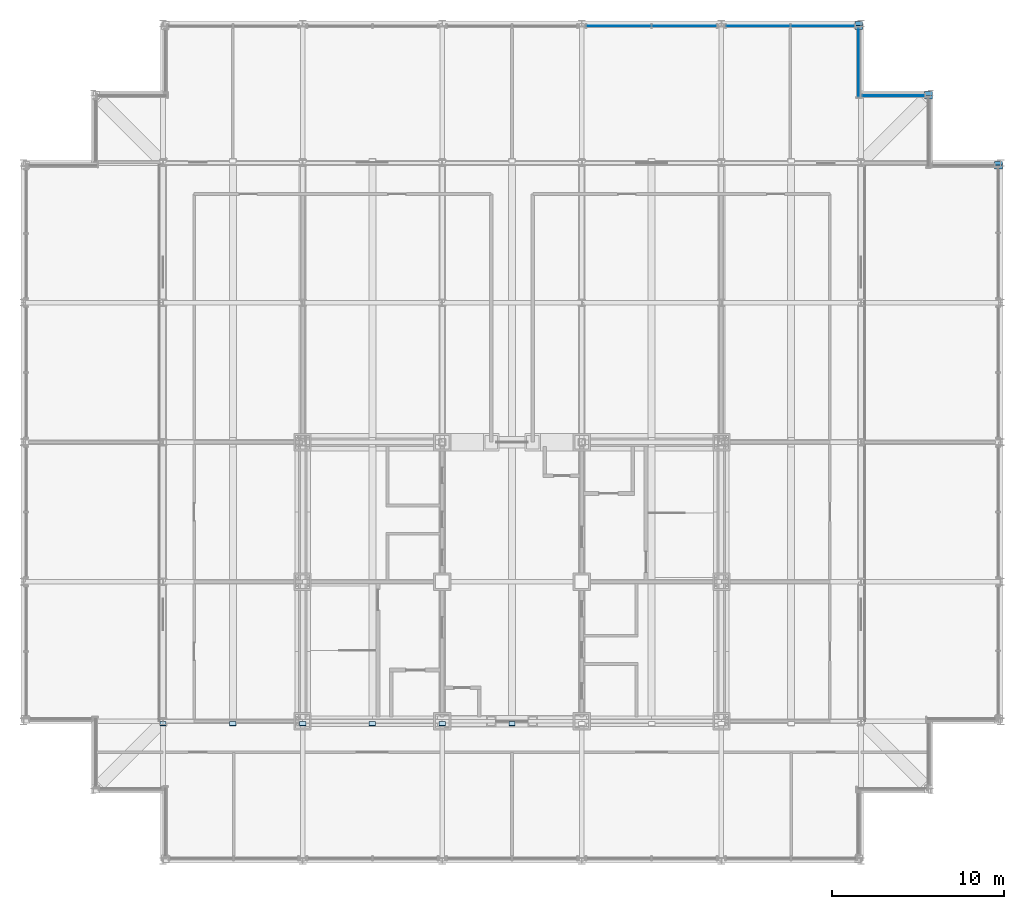
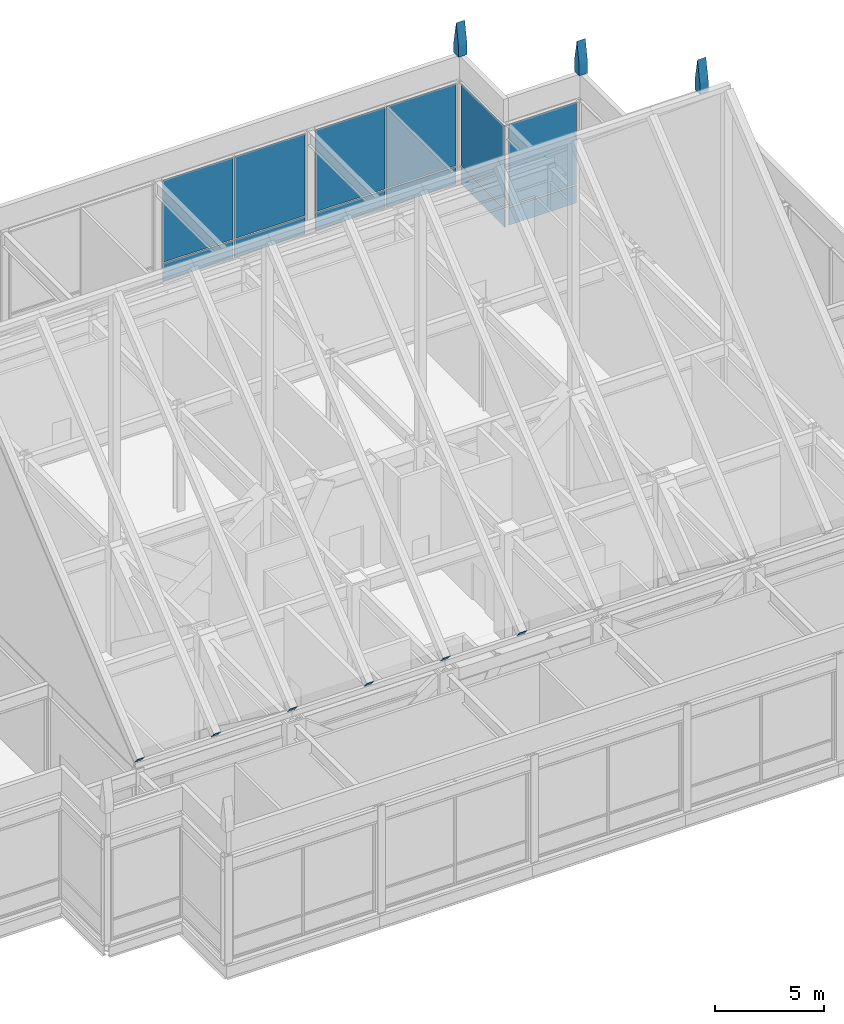
# One storey, part 16 of 22: 21 plates, 4 elements without a shape of their own.
"""IFC4 building model written with IfcOpenShell, lengths in metres."""

from ifc_helpers import new_model, si_unit, direction, frame, origin, origin_2d, place, context, subcontext, project, spatial, polyline, rectangle, outline, extrude, material, layer, layer_set, type_object, element, aggregate, save


model = new_model("IFC4")

# Units and contexts
model_context = context("Model", 3, precision=1e-05, world=origin(), true_north=direction((0.0, 1.0)))
body_context = subcontext(model_context, "Body", "Model", "MODEL_VIEW")
ifc_project = project(units=[si_unit("LENGTHUNIT", "METRE"), si_unit("AREAUNIT", "SQUARE_METRE"), si_unit("VOLUMEUNIT", "CUBIC_METRE"), si_unit("PLANEANGLEUNIT", "RADIAN"), si_unit("MASSUNIT", "GRAM", prefix="KILO")], contexts=[model_context])

# Site, building, storey
site_placement = place(None, origin())
site = spatial("IfcSite", under=ifc_project, at=site_placement, CompositionType="ELEMENT")
building_placement = place(site_placement, origin())
building = spatial("IfcBuilding", under=site, at=building_placement, Name="Kopane Lantern Tower", CompositionType="ELEMENT")
storey_placement = place(building_placement, frame((0.0, 0.0, 303.89990234375)))
storey = spatial("IfcBuildingStorey", under=building, at=storey_placement, Name="L77", CompositionType="ELEMENT", Elevation=303.89990234375)

# Curtain wall, plates
ifc_material_1 = material(Name="Aluminium and clear glass", Category="aluminium")
curtain_wall_type = type_object("IfcCurtainWallType", Name="CURTAIN WALL CW6 LANTERN CROWN", PredefinedType="USERDEFINED", material=ifc_material_1)
curtain_wall_1_placement = place(storey_placement, origin())
curtain_wall_1 = element("IfcCurtainWall", 1, at=curtain_wall_1_placement, inside=storey, type_object=curtain_wall_type, Name="Curtain wall CW6 N L77", ObjectType="CURTAIN WALL", PredefinedType="USERDEFINED")
ifc_material_2 = material(Name="Insulated clear glass unit", Category="glass")
ifc_layer_1 = layer(ifc_material_2, 0.0400390625)
ifc_layer_set_1 = layer_set([ifc_layer_1], Name="CURTAIN PANEL CW6-P 40")
plate_type_1 = type_object("IfcPlateType", Name="CURTAIN PANEL CW6-P 40", PredefinedType="CURTAIN_PANEL", material=ifc_layer_set_1)
plate_1_placement = place(storey_placement, frame((50.47509765625, 60.60009765625, 0.080078125), z_axis=(0.0, 0.0, 1.0), x_axis=(-1.0, 0.0, 0.0)))
plate_1 = element("IfcPlate", 2, at=plate_1_placement, type_object=plate_type_1, Name="CW6 panel 1.1", PredefinedType="CURTAIN_PANEL", context=body_context, shape_type="SweptSolid", body=[
    extrude(rectangle(XDim=3.590087890625, YDim=0.0400390625, at=origin_2d()), origin(), (0.0, 0.0, 1.0), 0.97998046875),
])
plate_2_placement = place(storey_placement, frame((50.47509765625, 60.60009765625, 1.14013671875), z_axis=(0.0, 0.0, 1.0), x_axis=(-1.0, 0.0, 0.0)))
plate_2 = element("IfcPlate", 3, at=plate_2_placement, type_object=plate_type_1, Name="CW6 panel 1.2", PredefinedType="CURTAIN_PANEL", context=body_context, shape_type="SweptSolid", body=[
    extrude(rectangle(XDim=3.590087890625, YDim=0.0400390625, at=origin_2d()), origin(), (0.0, 0.0, 1.0), 4.580078125),
])
aggregate(curtain_wall_1, [plate_1, plate_2])

curtain_wall_2_placement = place(storey_placement, origin())
curtain_wall_2 = element("IfcCurtainWall", 4, at=curtain_wall_2_placement, inside=storey, type_object=curtain_wall_type, Name="Curtain wall CW6 E L77", ObjectType="CURTAIN WALL", PredefinedType="USERDEFINED")
plate_3_placement = place(storey_placement, frame((48.449951171875, 62.524169921875, 0.080078125), z_axis=(0.0, 0.0, 1.0), x_axis=(0.0, 1.0, 0.0)))
plate_3 = element("IfcPlate", 5, at=plate_3_placement, type_object=plate_type_1, Name="CW6 panel 1.1", PredefinedType="CURTAIN_PANEL", context=body_context, shape_type="SweptSolid", body=[
    extrude(rectangle(XDim=3.98828125, YDim=0.0400390625, at=origin_2d()), origin(), (0.0, 0.0, 1.0), 0.97998046875),
])
plate_4_placement = place(storey_placement, frame((48.449951171875, 62.524169921875, 1.14013671875), z_axis=(0.0, 0.0, 1.0), x_axis=(0.0, 1.0, 0.0)))
plate_4 = element("IfcPlate", 6, at=plate_4_placement, type_object=plate_type_1, Name="CW6 panel 1.2", PredefinedType="CURTAIN_PANEL", context=body_context, shape_type="SweptSolid", body=[
    extrude(rectangle(XDim=3.98828125, YDim=0.0400390625, at=origin_2d()), origin(), (0.0, 0.0, 1.0), 4.580078125),
])
aggregate(curtain_wall_2, [plate_3, plate_4])

curtain_wall_3_placement = place(storey_placement, origin())
curtain_wall_3 = element("IfcCurtainWall", 7, at=curtain_wall_3_placement, inside=storey, type_object=curtain_wall_type, Name="Curtain wall CW6 N L77", ObjectType="CURTAIN WALL", PredefinedType="USERDEFINED")
plate_5_placement = place(storey_placement, frame((46.381103515625, 64.64990234375, 0.080078125), z_axis=(0.0, 0.0, 1.0), x_axis=(-1.0, 0.0, 0.0)))
plate_5 = element("IfcPlate", 8, at=plate_5_placement, type_object=plate_type_1, Name="CW6 panel 1.1", PredefinedType="CURTAIN_PANEL", context=body_context, shape_type="SweptSolid", body=[
    extrude(rectangle(XDim=3.677734375, YDim=0.0400390625, at=origin_2d()), origin(), (0.0, 0.0, 1.0), 0.97998046875),
])
plate_6_placement = place(storey_placement, frame((46.381103515625, 64.64990234375, 1.14013671875), z_axis=(0.0, 0.0, 1.0), x_axis=(-1.0, 0.0, 0.0)))
plate_6 = element("IfcPlate", 9, at=plate_6_placement, type_object=plate_type_1, Name="CW6 panel 1.2", PredefinedType="CURTAIN_PANEL", context=body_context, shape_type="SweptSolid", body=[
    extrude(rectangle(XDim=3.677734375, YDim=0.0400390625, at=origin_2d()), origin(), (0.0, 0.0, 1.0), 4.580078125),
])
plate_7_placement = place(storey_placement, frame((42.623291015625, 64.64990234375, 0.080078125), z_axis=(0.0, 0.0, 1.0), x_axis=(-1.0, 0.0, 0.0)))
plate_7 = element("IfcPlate", 10, at=plate_7_placement, type_object=plate_type_1, Name="CW6 panel 2.1", PredefinedType="CURTAIN_PANEL", context=body_context, shape_type="SweptSolid", body=[
    extrude(rectangle(XDim=3.677734375, YDim=0.0400390625, at=origin_2d()), origin(), (0.0, 0.0, 1.0), 0.97998046875),
])
plate_8_placement = place(storey_placement, frame((42.623291015625, 64.64990234375, 1.14013671875), z_axis=(0.0, 0.0, 1.0), x_axis=(-1.0, 0.0, 0.0)))
plate_8 = element("IfcPlate", 11, at=plate_8_placement, type_object=plate_type_1, Name="CW6 panel 2.2", PredefinedType="CURTAIN_PANEL", context=body_context, shape_type="SweptSolid", body=[
    extrude(rectangle(XDim=3.677734375, YDim=0.0400390625, at=origin_2d()), origin(), (0.0, 0.0, 1.0), 4.580078125),
])
aggregate(curtain_wall_3, [plate_5, plate_6, plate_7, plate_8])

curtain_wall_4_placement = place(storey_placement, origin())
curtain_wall_4 = element("IfcCurtainWall", 12, at=curtain_wall_4_placement, inside=storey, type_object=curtain_wall_type, Name="Curtain wall CW6 N L77", ObjectType="CURTAIN WALL", PredefinedType="USERDEFINED")
plate_9_placement = place(storey_placement, frame((38.352783203125, 64.64990234375, 0.080078125), z_axis=(0.0, 0.0, 1.0), x_axis=(-1.0, 0.0, 0.0)))
plate_9 = element("IfcPlate", 13, at=plate_9_placement, type_object=plate_type_1, Name="CW6 panel 1.1", PredefinedType="CURTAIN_PANEL", context=body_context, shape_type="SweptSolid", body=[
    extrude(rectangle(XDim=3.7255859375, YDim=0.0400390625, at=origin_2d()), origin(), (0.0, 0.0, 1.0), 0.97998046875),
])
plate_10_placement = place(storey_placement, frame((38.352783203125, 64.64990234375, 1.14013671875), z_axis=(0.0, 0.0, 1.0), x_axis=(-1.0, 0.0, 0.0)))
plate_10 = element("IfcPlate", 14, at=plate_10_placement, type_object=plate_type_1, Name="CW6 panel 1.2", PredefinedType="CURTAIN_PANEL", context=body_context, shape_type="SweptSolid", body=[
    extrude(rectangle(XDim=3.7255859375, YDim=0.0400390625, at=origin_2d()), origin(), (0.0, 0.0, 1.0), 4.580078125),
])
plate_11_placement = place(storey_placement, frame((34.54736328125, 64.64990234375, 0.080078125), z_axis=(0.0, 0.0, 1.0), x_axis=(-1.0, 0.0, 0.0)))
plate_11 = element("IfcPlate", 15, at=plate_11_placement, type_object=plate_type_1, Name="CW6 panel 2.1", PredefinedType="CURTAIN_PANEL", context=body_context, shape_type="SweptSolid", body=[
    extrude(rectangle(XDim=3.7255859375, YDim=0.0400390625, at=origin_2d()), origin(), (0.0, 0.0, 1.0), 0.97998046875),
])
plate_12_placement = place(storey_placement, frame((34.54736328125, 64.64990234375, 1.14013671875), z_axis=(0.0, 0.0, 1.0), x_axis=(-1.0, 0.0, 0.0)))
plate_12 = element("IfcPlate", 16, at=plate_12_placement, type_object=plate_type_1, Name="CW6 panel 2.2", PredefinedType="CURTAIN_PANEL", context=body_context, shape_type="SweptSolid", body=[
    extrude(rectangle(XDim=3.7255859375, YDim=0.0400390625, at=origin_2d()), origin(), (0.0, 0.0, 1.0), 4.580078125),
])
aggregate(curtain_wall_4, [plate_9, plate_10, plate_11, plate_12])

# Plates
ifc_material_3 = material(Name="Terracotta rainscreen on light steel framing", Category="masonry")
ifc_layer_2 = layer(ifc_material_3, 0.449951171875)
ifc_layer_set_2 = layer_set([ifc_layer_2], Name="PINNACLE TP1 450x450x1800 TERRACOTTA")
plate_type_2 = type_object("IfcPlateType", Name="PINNACLE TP1 450x450x1800 TERRACOTTA", PredefinedType="USERDEFINED", material=ifc_layer_set_2)
plate_13_placement = place(storey_placement, frame((56.574951171875, 56.35009765625, 7.28515625), z_axis=(0.0, 0.0, 1.0), x_axis=(0.0, 1.0, 0.0)))
element("IfcPlate", 17, at=plate_13_placement, inside=storey, type_object=plate_type_2, Name="Pinnacle L77", ObjectType="PINNACLE", PredefinedType="USERDEFINED", context=body_context, shape_type="SweptSolid", body=[
    extrude(outline(polyline([(0.0, 0.0), (0.449951171875, 0.0), (0.449951171875, 0.599853515625), (0.22509765625, 1.800048828125), (0.0, 0.599853515625), (0.0, 0.0)])), frame((0.0, 0.22509765625, 0.0), z_axis=(0.0, -1.0, 0.0), x_axis=(1.0, 0.0, 0.0)), (0.0, 0.0, 1.0), 0.449951171875),
])
plate_14_placement = place(storey_placement, frame((52.52490234375, 60.39990234375, 7.28515625), z_axis=(0.0, 0.0, 1.0), x_axis=(0.0, 1.0, 0.0)))
element("IfcPlate", 18, at=plate_14_placement, inside=storey, type_object=plate_type_2, Name="Pinnacle L77", ObjectType="PINNACLE", PredefinedType="USERDEFINED", context=body_context, shape_type="SweptSolid", body=[
    extrude(outline(polyline([(0.0, 0.0), (0.4501953125, 0.0), (0.449951171875, 0.599853515625), (0.22509765625, 1.800048828125), (0.0, 0.599853515625), (0.0, 0.0)])), frame((0.0, 0.22509765625, 0.0), z_axis=(0.0, -1.0, 0.0), x_axis=(1.0, 0.0, 0.0)), (0.0, 0.0, 1.0), 0.449951171875),
])
plate_15_placement = place(storey_placement, frame((48.47509765625, 64.449951171875, 7.28515625), z_axis=(0.0, 0.0, 1.0), x_axis=(0.0, 1.0, 0.0)))
element("IfcPlate", 19, at=plate_15_placement, inside=storey, type_object=plate_type_2, Name="Pinnacle L77", ObjectType="PINNACLE", PredefinedType="USERDEFINED", context=body_context, shape_type="SweptSolid", body=[
    extrude(outline(polyline([(0.0, 0.0), (0.449951171875, 0.0), (0.449951171875, 0.599853515625), (0.22509765625, 1.800048828125), (0.0, 0.599853515625), (0.0, 0.0)])), frame((0.0, 0.22509765625, 0.0), z_axis=(0.0, -1.0, 0.0), x_axis=(1.0, 0.0, 0.0)), (0.0, 0.0, 1.0), 0.449951171875),
])
ifc_material_4 = material(Name="Steel S355JR", Category="steel")
ifc_layer_3 = layer(ifc_material_4, 0.02490234375)
ifc_layer_set_3 = layer_set([ifc_layer_3], Name="STEEL END CAP PLATE PL25")
plate_type_3 = type_object("IfcPlateType", Name="STEEL END CAP PLATE PL25", PredefinedType="USERDEFINED", material=ifc_layer_set_3)
for number, where, z_axis, x_axis, name in (
    (20, (7.91552734375, 24.06298828125, 6.603271484375), (0.0, 0.76816609319, 0.64025061755), (1.0, 0.0, 0.0), "Lantern rafter end cap plate S"),
    (21, (11.965576171875, 24.06298828125, 6.603271484375), (0.0, 0.76816609319, 0.64025061755), (1.0, 0.0, 0.0), "Lantern rafter end cap plate S"),
):
    element("IfcPlate", number, at=place(storey_placement, frame(where, z_axis=z_axis, x_axis=x_axis)), inside=storey, type_object=plate_type_3, Name=name, ObjectType="PLATE", PredefinedType="USERDEFINED", context=body_context, shape_type="SweptSolid", body=[
        extrude(outline(polyline([(0.0, 0.0), (0.368896484375, 0.0), (0.368896484375, 0.3626357054736039), (0.0, 0.3626357054736039), (0.0, 0.0)])), origin(), (0.0, 0.0, -1.0), 0.02490234375),
    ])
for number, where, z_axis, x_axis, name in (
    (22, (16.015380859375, 24.06298828125, 6.603271484375), (0.0, 0.76816609319, 0.64025061755), (1.0, 0.0, 0.0), "Lantern rafter end cap plate S"),
    (23, (20.0654296875, 24.06298828125, 6.603271484375), (0.0, 0.76816609319, 0.64025061755), (1.0, 0.0, 0.0), "Lantern rafter end cap plate S"),
    (24, (24.115478515625, 24.06298828125, 6.603271484375), (0.0, 0.76816609319, 0.64025061755), (1.0, 0.0, 0.0), "Lantern rafter end cap plate S"),
):
    element("IfcPlate", number, at=place(storey_placement, frame(where, z_axis=z_axis, x_axis=x_axis)), inside=storey, type_object=plate_type_3, Name=name, ObjectType="PLATE", PredefinedType="USERDEFINED", context=body_context, shape_type="SweptSolid", body=[
        extrude(outline(polyline([(0.0, 0.0), (0.369140625, 0.0), (0.369140625, 0.36263570547360385), (0.0, 0.36263570547360385), (0.0, 0.0)])), origin(), (0.0, 0.0, -1.0), 0.02490234375),
    ])
plate_16_placement = place(storey_placement, frame((28.16552734375, 24.06298828125, 6.603271484375), z_axis=(0.0, 0.76816609319, 0.64025061755), x_axis=(1.0, 0.0, 0.0)))
element("IfcPlate", 25, at=plate_16_placement, inside=storey, type_object=plate_type_3, Name="Lantern rafter end cap plate S", ObjectType="PLATE", PredefinedType="USERDEFINED", context=body_context, shape_type="SweptSolid", body=[
    extrude(outline(polyline([(0.0, 0.0), (0.368896484375, 0.0), (0.368896484375, 0.3626357054736039), (0.0, 0.3626357054736039), (0.0, 0.0)])), origin(), (0.0, 0.0, -1.0), 0.02490234375),
])

save(model, "model.ifc")
